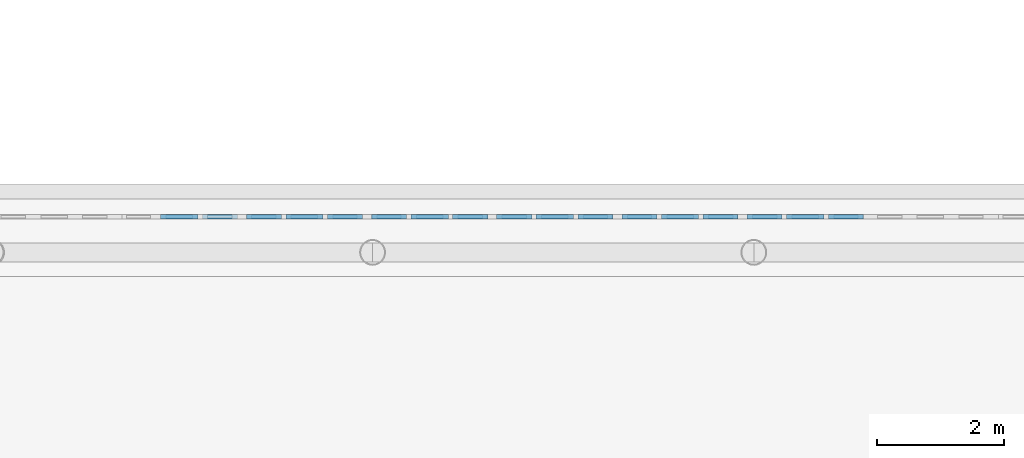
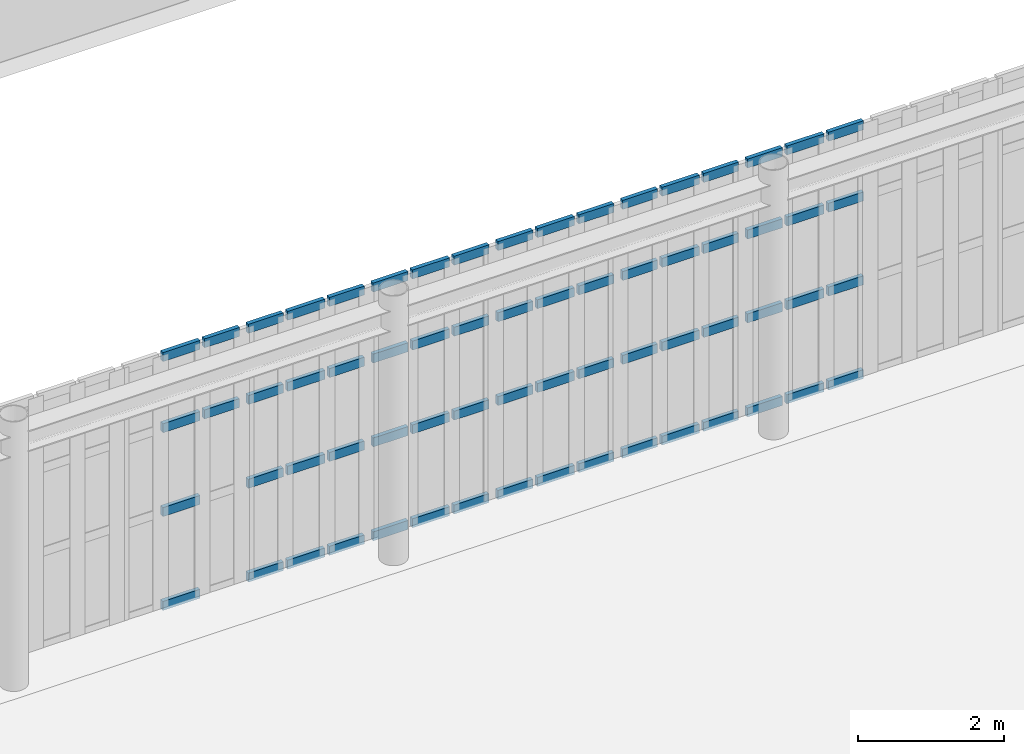
# One storey, part 42 of 91: 66 members, 6 elements without a shape of their own.
"""IFC4 building model written with IfcOpenShell, lengths in metres."""

from ifc_helpers import new_model, si_unit, direction, frame, origin, origin_2d, place, context, subcontext, project, spatial, rectangle, extrude, material, material_profile, profile_set, type_object, element, aggregate, save


model = new_model("IFC4")

# Units and contexts
model_context = context("Model", 3, precision=1e-05, world=origin(), true_north=direction((0.0, 1.0)))
body_context = subcontext(model_context, "Body", "Model", "MODEL_VIEW")
ifc_project = project(units=[si_unit("LENGTHUNIT", "METRE"), si_unit("AREAUNIT", "SQUARE_METRE"), si_unit("VOLUMEUNIT", "CUBIC_METRE"), si_unit("PLANEANGLEUNIT", "RADIAN"), si_unit("MASSUNIT", "GRAM", prefix="KILO")], contexts=[model_context])

# Site, building, storey
site_placement = place(None, origin())
site = spatial("IfcSite", under=ifc_project, at=site_placement, CompositionType="ELEMENT")
building_placement = place(site_placement, origin())
building = spatial("IfcBuilding", under=site, at=building_placement, Name="Kolvaren Corner Interchange", CompositionType="ELEMENT")
storey_placement = place(building_placement, frame((0.0, 0.0, 6.0)))
storey = spatial("IfcBuildingStorey", under=building, at=storey_placement, Name="L02", CompositionType="ELEMENT", Elevation=6.0)

# Curtain wall, members
ifc_material_1 = material(Name="Unitised Aluminium and Solar-Control Glass Curtain Wall", Category="aluminium")
curtain_wall_type = type_object("IfcCurtainWallType", Name="CW-V1-NORTH", PredefinedType="NOTDEFINED", material=ifc_material_1)
curtain_wall_1_placement = place(storey_placement, origin())
curtain_wall_1 = element("IfcCurtainWall", 1, at=curtain_wall_1_placement, inside=storey, type_object=curtain_wall_type, Name="North Concourse Gallery Curtain Wall Bay 06", PredefinedType="NOTDEFINED")
ifc_material_2 = material(Name="Anodised Aluminium Framing", Category="aluminium")
ifc_material_profile = material_profile(ifc_material_2, rectangle(XDim=0.06494140625, YDim=0.14990234375, at=origin_2d()), Name="ALU 65x150")
ifc_profile_set = profile_set([ifc_material_profile], Name="Anodised Aluminium Framing")
member_type = type_object("IfcMemberType", Name="TRN-ALU65x150", PredefinedType="USERDEFINED", material=ifc_profile_set)
member_1_placement = place(storey_placement, frame((109.725830078125, 71.659912109375, 0.032470703125), z_axis=(-1.0, 0.0, 0.0), x_axis=(0.0, -1.0, 0.0)))
member_1 = element("IfcMember", 2, at=member_1_placement, type_object=member_type, Name="CW-063 transom 1.1", ObjectType="TRANSOM", PredefinedType="USERDEFINED", context=body_context, shape_type="SweptSolid", body=[
    extrude(rectangle(XDim=0.06494140625, YDim=0.14990234375, at=origin_2d()), origin(), (0.0, 0.0, 1.0), 0.552001953125),
])
member_2_placement = place(storey_placement, frame((109.725830078125, 71.659912109375, 1.60009765625), z_axis=(-1.0, 0.0, 0.0), x_axis=(0.0, -1.0, 0.0)))
member_2 = element("IfcMember", 3, at=member_2_placement, type_object=member_type, Name="CW-063 transom 1.2", ObjectType="TRANSOM", PredefinedType="USERDEFINED", context=body_context, shape_type="SweptSolid", body=[
    extrude(rectangle(XDim=0.06494140625, YDim=0.14990234375, at=origin_2d()), origin(), (0.0, 0.0, 1.0), 0.552001953125),
])
member_3_placement = place(storey_placement, frame((109.725830078125, 71.659912109375, 3.0), z_axis=(-1.0, 0.0, 0.0), x_axis=(0.0, -1.0, 0.0)))
member_3 = element("IfcMember", 4, at=member_3_placement, type_object=member_type, Name="CW-063 transom 1.3", ObjectType="TRANSOM", PredefinedType="USERDEFINED", context=body_context, shape_type="SweptSolid", body=[
    extrude(rectangle(XDim=0.06494140625, YDim=0.14990234375, at=origin_2d()), origin(), (0.0, 0.0, 1.0), 0.552001953125),
])
member_4_placement = place(storey_placement, frame((109.725830078125, 71.659912109375, 4.1875), z_axis=(-1.0, 0.0, 0.0), x_axis=(0.0, -1.0, 0.0)))
member_4 = element("IfcMember", 5, at=member_4_placement, type_object=member_type, Name="CW-063 transom 1.4", ObjectType="TRANSOM", PredefinedType="USERDEFINED", context=body_context, shape_type="SweptSolid", body=[
    extrude(rectangle(XDim=0.06494140625, YDim=0.14990234375, at=origin_2d()), origin(), (0.0, 0.0, 1.0), 0.552001953125),
])
member_5_placement = place(storey_placement, frame((109.103759765625, 71.659912109375, 0.032470703125), z_axis=(-1.0, 0.0, 0.0), x_axis=(0.0, -1.0, 0.0)))
member_5 = element("IfcMember", 6, at=member_5_placement, type_object=member_type, Name="CW-063 transom 2.1", ObjectType="TRANSOM", PredefinedType="USERDEFINED", context=body_context, shape_type="SweptSolid", body=[
    extrude(rectangle(XDim=0.06494140625, YDim=0.14990234375, at=origin_2d()), origin(), (0.0, 0.0, 1.0), 0.5869140625),
])
member_6_placement = place(storey_placement, frame((109.103759765625, 71.659912109375, 1.60009765625), z_axis=(-1.0, 0.0, 0.0), x_axis=(0.0, -1.0, 0.0)))
member_6 = element("IfcMember", 7, at=member_6_placement, type_object=member_type, Name="CW-063 transom 2.2", ObjectType="TRANSOM", PredefinedType="USERDEFINED", context=body_context, shape_type="SweptSolid", body=[
    extrude(rectangle(XDim=0.06494140625, YDim=0.14990234375, at=origin_2d()), origin(), (0.0, 0.0, 1.0), 0.5869140625),
])
member_7_placement = place(storey_placement, frame((109.103759765625, 71.659912109375, 3.0), z_axis=(-1.0, 0.0, 0.0), x_axis=(0.0, -1.0, 0.0)))
member_7 = element("IfcMember", 8, at=member_7_placement, type_object=member_type, Name="CW-063 transom 2.3", ObjectType="TRANSOM", PredefinedType="USERDEFINED", context=body_context, shape_type="SweptSolid", body=[
    extrude(rectangle(XDim=0.06494140625, YDim=0.14990234375, at=origin_2d()), origin(), (0.0, 0.0, 1.0), 0.5869140625),
])
member_8_placement = place(storey_placement, frame((109.103759765625, 71.659912109375, 4.1875), z_axis=(-1.0, 0.0, 0.0), x_axis=(0.0, -1.0, 0.0)))
member_8 = element("IfcMember", 9, at=member_8_placement, type_object=member_type, Name="CW-063 transom 2.4", ObjectType="TRANSOM", PredefinedType="USERDEFINED", context=body_context, shape_type="SweptSolid", body=[
    extrude(rectangle(XDim=0.06494140625, YDim=0.14990234375, at=origin_2d()), origin(), (0.0, 0.0, 1.0), 0.5869140625),
])
member_9_placement = place(storey_placement, frame((108.447021484375, 71.659912109375, 0.032470703125), z_axis=(-1.0, 0.0, 0.0), x_axis=(0.0, -1.0, 0.0)))
member_9 = element("IfcMember", 10, at=member_9_placement, type_object=member_type, Name="CW-063 transom 3.1", ObjectType="TRANSOM", PredefinedType="USERDEFINED", context=body_context, shape_type="SweptSolid", body=[
    extrude(rectangle(XDim=0.06494140625, YDim=0.14990234375, at=origin_2d()), origin(), (0.0, 0.0, 1.0), 0.552001953125),
])
member_10_placement = place(storey_placement, frame((108.447021484375, 71.659912109375, 1.60009765625), z_axis=(-1.0, 0.0, 0.0), x_axis=(0.0, -1.0, 0.0)))
member_10 = element("IfcMember", 11, at=member_10_placement, type_object=member_type, Name="CW-063 transom 3.2", ObjectType="TRANSOM", PredefinedType="USERDEFINED", context=body_context, shape_type="SweptSolid", body=[
    extrude(rectangle(XDim=0.06494140625, YDim=0.14990234375, at=origin_2d()), origin(), (0.0, 0.0, 1.0), 0.552001953125),
])
member_11_placement = place(storey_placement, frame((108.447021484375, 71.659912109375, 3.0), z_axis=(-1.0, 0.0, 0.0), x_axis=(0.0, -1.0, 0.0)))
member_11 = element("IfcMember", 12, at=member_11_placement, type_object=member_type, Name="CW-063 transom 3.3", ObjectType="TRANSOM", PredefinedType="USERDEFINED", context=body_context, shape_type="SweptSolid", body=[
    extrude(rectangle(XDim=0.06494140625, YDim=0.14990234375, at=origin_2d()), origin(), (0.0, 0.0, 1.0), 0.552001953125),
])
member_12_placement = place(storey_placement, frame((108.447021484375, 71.659912109375, 4.1875), z_axis=(-1.0, 0.0, 0.0), x_axis=(0.0, -1.0, 0.0)))
member_12 = element("IfcMember", 13, at=member_12_placement, type_object=member_type, Name="CW-063 transom 3.4", ObjectType="TRANSOM", PredefinedType="USERDEFINED", context=body_context, shape_type="SweptSolid", body=[
    extrude(rectangle(XDim=0.06494140625, YDim=0.14990234375, at=origin_2d()), origin(), (0.0, 0.0, 1.0), 0.552001953125),
])
aggregate(curtain_wall_1, [member_1, member_2, member_3, member_4, member_5, member_6, member_7, member_8, member_9, member_10, member_11, member_12])

curtain_wall_2_placement = place(storey_placement, origin())
curtain_wall_2 = element("IfcCurtainWall", 14, at=curtain_wall_2_placement, inside=storey, type_object=curtain_wall_type, Name="North Concourse Gallery Curtain Wall Bay 07", PredefinedType="NOTDEFINED")
member_13_placement = place(storey_placement, frame((107.7548828125, 71.659912109375, 0.032470703125), z_axis=(-1.0, 0.0, 0.0), x_axis=(0.0, -1.0, 0.0)))
member_13 = element("IfcMember", 15, at=member_13_placement, type_object=member_type, Name="CW-064 transom 1.1", ObjectType="TRANSOM", PredefinedType="USERDEFINED", context=body_context, shape_type="SweptSolid", body=[
    extrude(rectangle(XDim=0.06494140625, YDim=0.14990234375, at=origin_2d()), origin(), (0.0, 0.0, 1.0), 0.5517578125),
])
member_14_placement = place(storey_placement, frame((107.7548828125, 71.659912109375, 1.60009765625), z_axis=(-1.0, 0.0, 0.0), x_axis=(0.0, -1.0, 0.0)))
member_14 = element("IfcMember", 16, at=member_14_placement, type_object=member_type, Name="CW-064 transom 1.2", ObjectType="TRANSOM", PredefinedType="USERDEFINED", context=body_context, shape_type="SweptSolid", body=[
    extrude(rectangle(XDim=0.06494140625, YDim=0.14990234375, at=origin_2d()), origin(), (0.0, 0.0, 1.0), 0.5517578125),
])
member_15_placement = place(storey_placement, frame((107.7548828125, 71.659912109375, 3.0), z_axis=(-1.0, 0.0, 0.0), x_axis=(0.0, -1.0, 0.0)))
member_15 = element("IfcMember", 17, at=member_15_placement, type_object=member_type, Name="CW-064 transom 1.3", ObjectType="TRANSOM", PredefinedType="USERDEFINED", context=body_context, shape_type="SweptSolid", body=[
    extrude(rectangle(XDim=0.06494140625, YDim=0.14990234375, at=origin_2d()), origin(), (0.0, 0.0, 1.0), 0.5517578125),
])
member_16_placement = place(storey_placement, frame((107.7548828125, 71.659912109375, 4.1875), z_axis=(-1.0, 0.0, 0.0), x_axis=(0.0, -1.0, 0.0)))
member_16 = element("IfcMember", 18, at=member_16_placement, type_object=member_type, Name="CW-064 transom 1.4", ObjectType="TRANSOM", PredefinedType="USERDEFINED", context=body_context, shape_type="SweptSolid", body=[
    extrude(rectangle(XDim=0.06494140625, YDim=0.14990234375, at=origin_2d()), origin(), (0.0, 0.0, 1.0), 0.5517578125),
])
member_17_placement = place(storey_placement, frame((107.133056640625, 71.659912109375, 0.032470703125), z_axis=(-1.0, 0.0, 0.0), x_axis=(0.0, -1.0, 0.0)))
member_17 = element("IfcMember", 19, at=member_17_placement, type_object=member_type, Name="CW-064 transom 2.1", ObjectType="TRANSOM", PredefinedType="USERDEFINED", context=body_context, shape_type="SweptSolid", body=[
    extrude(rectangle(XDim=0.06494140625, YDim=0.14990234375, at=origin_2d()), origin(), (0.0, 0.0, 1.0), 0.5869140625),
])
member_18_placement = place(storey_placement, frame((107.133056640625, 71.659912109375, 1.60009765625), z_axis=(-1.0, 0.0, 0.0), x_axis=(0.0, -1.0, 0.0)))
member_18 = element("IfcMember", 20, at=member_18_placement, type_object=member_type, Name="CW-064 transom 2.2", ObjectType="TRANSOM", PredefinedType="USERDEFINED", context=body_context, shape_type="SweptSolid", body=[
    extrude(rectangle(XDim=0.06494140625, YDim=0.14990234375, at=origin_2d()), origin(), (0.0, 0.0, 1.0), 0.5869140625),
])
member_19_placement = place(storey_placement, frame((107.133056640625, 71.659912109375, 3.0), z_axis=(-1.0, 0.0, 0.0), x_axis=(0.0, -1.0, 0.0)))
member_19 = element("IfcMember", 21, at=member_19_placement, type_object=member_type, Name="CW-064 transom 2.3", ObjectType="TRANSOM", PredefinedType="USERDEFINED", context=body_context, shape_type="SweptSolid", body=[
    extrude(rectangle(XDim=0.06494140625, YDim=0.14990234375, at=origin_2d()), origin(), (0.0, 0.0, 1.0), 0.5869140625),
])
member_20_placement = place(storey_placement, frame((107.133056640625, 71.659912109375, 4.1875), z_axis=(-1.0, 0.0, 0.0), x_axis=(0.0, -1.0, 0.0)))
member_20 = element("IfcMember", 22, at=member_20_placement, type_object=member_type, Name="CW-064 transom 2.4", ObjectType="TRANSOM", PredefinedType="USERDEFINED", context=body_context, shape_type="SweptSolid", body=[
    extrude(rectangle(XDim=0.06494140625, YDim=0.14990234375, at=origin_2d()), origin(), (0.0, 0.0, 1.0), 0.5869140625),
])
member_21_placement = place(storey_placement, frame((106.47607421875, 71.659912109375, 0.032470703125), z_axis=(-1.0, 0.0, 0.0), x_axis=(0.0, -1.0, 0.0)))
member_21 = element("IfcMember", 23, at=member_21_placement, type_object=member_type, Name="CW-064 transom 3.1", ObjectType="TRANSOM", PredefinedType="USERDEFINED", context=body_context, shape_type="SweptSolid", body=[
    extrude(rectangle(XDim=0.06494140625, YDim=0.14990234375, at=origin_2d()), origin(), (0.0, 0.0, 1.0), 0.5517578125),
])
member_22_placement = place(storey_placement, frame((106.47607421875, 71.659912109375, 1.60009765625), z_axis=(-1.0, 0.0, 0.0), x_axis=(0.0, -1.0, 0.0)))
member_22 = element("IfcMember", 24, at=member_22_placement, type_object=member_type, Name="CW-064 transom 3.2", ObjectType="TRANSOM", PredefinedType="USERDEFINED", context=body_context, shape_type="SweptSolid", body=[
    extrude(rectangle(XDim=0.06494140625, YDim=0.14990234375, at=origin_2d()), origin(), (0.0, 0.0, 1.0), 0.5517578125),
])
member_23_placement = place(storey_placement, frame((106.47607421875, 71.659912109375, 3.0), z_axis=(-1.0, 0.0, 0.0), x_axis=(0.0, -1.0, 0.0)))
member_23 = element("IfcMember", 25, at=member_23_placement, type_object=member_type, Name="CW-064 transom 3.3", ObjectType="TRANSOM", PredefinedType="USERDEFINED", context=body_context, shape_type="SweptSolid", body=[
    extrude(rectangle(XDim=0.06494140625, YDim=0.14990234375, at=origin_2d()), origin(), (0.0, 0.0, 1.0), 0.5517578125),
])
member_24_placement = place(storey_placement, frame((106.47607421875, 71.659912109375, 4.1875), z_axis=(-1.0, 0.0, 0.0), x_axis=(0.0, -1.0, 0.0)))
member_24 = element("IfcMember", 26, at=member_24_placement, type_object=member_type, Name="CW-064 transom 3.4", ObjectType="TRANSOM", PredefinedType="USERDEFINED", context=body_context, shape_type="SweptSolid", body=[
    extrude(rectangle(XDim=0.06494140625, YDim=0.14990234375, at=origin_2d()), origin(), (0.0, 0.0, 1.0), 0.5517578125),
])
aggregate(curtain_wall_2, [member_13, member_14, member_15, member_16, member_17, member_18, member_19, member_20, member_21, member_22, member_23, member_24])

curtain_wall_3_placement = place(storey_placement, origin())
curtain_wall_3 = element("IfcCurtainWall", 27, at=curtain_wall_3_placement, inside=storey, type_object=curtain_wall_type, Name="North Concourse Gallery Curtain Wall Bay 08", PredefinedType="NOTDEFINED")
member_25_placement = place(storey_placement, frame((105.7841796875, 71.659912109375, 0.032470703125), z_axis=(-1.0, 0.0, 0.0), x_axis=(0.0, -1.0, 0.0)))
member_25 = element("IfcMember", 28, at=member_25_placement, type_object=member_type, Name="CW-065 transom 1.1", ObjectType="TRANSOM", PredefinedType="USERDEFINED", context=body_context, shape_type="SweptSolid", body=[
    extrude(rectangle(XDim=0.06494140625, YDim=0.14990234375, at=origin_2d()), origin(), (0.0, 0.0, 1.0), 0.552001953125),
])
member_26_placement = place(storey_placement, frame((105.7841796875, 71.659912109375, 1.60009765625), z_axis=(-1.0, 0.0, 0.0), x_axis=(0.0, -1.0, 0.0)))
member_26 = element("IfcMember", 29, at=member_26_placement, type_object=member_type, Name="CW-065 transom 1.2", ObjectType="TRANSOM", PredefinedType="USERDEFINED", context=body_context, shape_type="SweptSolid", body=[
    extrude(rectangle(XDim=0.06494140625, YDim=0.14990234375, at=origin_2d()), origin(), (0.0, 0.0, 1.0), 0.552001953125),
])
member_27_placement = place(storey_placement, frame((105.7841796875, 71.659912109375, 3.0), z_axis=(-1.0, 0.0, 0.0), x_axis=(0.0, -1.0, 0.0)))
member_27 = element("IfcMember", 30, at=member_27_placement, type_object=member_type, Name="CW-065 transom 1.3", ObjectType="TRANSOM", PredefinedType="USERDEFINED", context=body_context, shape_type="SweptSolid", body=[
    extrude(rectangle(XDim=0.06494140625, YDim=0.14990234375, at=origin_2d()), origin(), (0.0, 0.0, 1.0), 0.552001953125),
])
member_28_placement = place(storey_placement, frame((105.7841796875, 71.659912109375, 4.1875), z_axis=(-1.0, 0.0, 0.0), x_axis=(0.0, -1.0, 0.0)))
member_28 = element("IfcMember", 31, at=member_28_placement, type_object=member_type, Name="CW-065 transom 1.4", ObjectType="TRANSOM", PredefinedType="USERDEFINED", context=body_context, shape_type="SweptSolid", body=[
    extrude(rectangle(XDim=0.06494140625, YDim=0.14990234375, at=origin_2d()), origin(), (0.0, 0.0, 1.0), 0.552001953125),
])
member_29_placement = place(storey_placement, frame((105.162353515625, 71.659912109375, 0.032470703125), z_axis=(-1.0, 0.0, 0.0), x_axis=(0.0, -1.0, 0.0)))
member_29 = element("IfcMember", 32, at=member_29_placement, type_object=member_type, Name="CW-065 transom 2.1", ObjectType="TRANSOM", PredefinedType="USERDEFINED", context=body_context, shape_type="SweptSolid", body=[
    extrude(rectangle(XDim=0.06494140625, YDim=0.14990234375, at=origin_2d()), origin(), (0.0, 0.0, 1.0), 0.587158203125),
])
member_30_placement = place(storey_placement, frame((105.162353515625, 71.659912109375, 1.60009765625), z_axis=(-1.0, 0.0, 0.0), x_axis=(0.0, -1.0, 0.0)))
member_30 = element("IfcMember", 33, at=member_30_placement, type_object=member_type, Name="CW-065 transom 2.2", ObjectType="TRANSOM", PredefinedType="USERDEFINED", context=body_context, shape_type="SweptSolid", body=[
    extrude(rectangle(XDim=0.06494140625, YDim=0.14990234375, at=origin_2d()), origin(), (0.0, 0.0, 1.0), 0.587158203125),
])
member_31_placement = place(storey_placement, frame((105.162353515625, 71.659912109375, 3.0), z_axis=(-1.0, 0.0, 0.0), x_axis=(0.0, -1.0, 0.0)))
member_31 = element("IfcMember", 34, at=member_31_placement, type_object=member_type, Name="CW-065 transom 2.3", ObjectType="TRANSOM", PredefinedType="USERDEFINED", context=body_context, shape_type="SweptSolid", body=[
    extrude(rectangle(XDim=0.06494140625, YDim=0.14990234375, at=origin_2d()), origin(), (0.0, 0.0, 1.0), 0.587158203125),
])
member_32_placement = place(storey_placement, frame((105.162353515625, 71.659912109375, 4.1875), z_axis=(-1.0, 0.0, 0.0), x_axis=(0.0, -1.0, 0.0)))
member_32 = element("IfcMember", 35, at=member_32_placement, type_object=member_type, Name="CW-065 transom 2.4", ObjectType="TRANSOM", PredefinedType="USERDEFINED", context=body_context, shape_type="SweptSolid", body=[
    extrude(rectangle(XDim=0.06494140625, YDim=0.14990234375, at=origin_2d()), origin(), (0.0, 0.0, 1.0), 0.587158203125),
])
member_33_placement = place(storey_placement, frame((104.50537109375, 71.659912109375, 0.032470703125), z_axis=(-1.0, 0.0, 0.0), x_axis=(0.0, -1.0, 0.0)))
member_33 = element("IfcMember", 36, at=member_33_placement, type_object=member_type, Name="CW-065 transom 3.1", ObjectType="TRANSOM", PredefinedType="USERDEFINED", context=body_context, shape_type="SweptSolid", body=[
    extrude(rectangle(XDim=0.06494140625, YDim=0.14990234375, at=origin_2d()), origin(), (0.0, 0.0, 1.0), 0.552001953125),
])
member_34_placement = place(storey_placement, frame((104.50537109375, 71.659912109375, 1.60009765625), z_axis=(-1.0, 0.0, 0.0), x_axis=(0.0, -1.0, 0.0)))
member_34 = element("IfcMember", 37, at=member_34_placement, type_object=member_type, Name="CW-065 transom 3.2", ObjectType="TRANSOM", PredefinedType="USERDEFINED", context=body_context, shape_type="SweptSolid", body=[
    extrude(rectangle(XDim=0.06494140625, YDim=0.14990234375, at=origin_2d()), origin(), (0.0, 0.0, 1.0), 0.552001953125),
])
member_35_placement = place(storey_placement, frame((104.50537109375, 71.659912109375, 3.0), z_axis=(-1.0, 0.0, 0.0), x_axis=(0.0, -1.0, 0.0)))
member_35 = element("IfcMember", 38, at=member_35_placement, type_object=member_type, Name="CW-065 transom 3.3", ObjectType="TRANSOM", PredefinedType="USERDEFINED", context=body_context, shape_type="SweptSolid", body=[
    extrude(rectangle(XDim=0.06494140625, YDim=0.14990234375, at=origin_2d()), origin(), (0.0, 0.0, 1.0), 0.552001953125),
])
member_36_placement = place(storey_placement, frame((104.50537109375, 71.659912109375, 4.1875), z_axis=(-1.0, 0.0, 0.0), x_axis=(0.0, -1.0, 0.0)))
member_36 = element("IfcMember", 39, at=member_36_placement, type_object=member_type, Name="CW-065 transom 3.4", ObjectType="TRANSOM", PredefinedType="USERDEFINED", context=body_context, shape_type="SweptSolid", body=[
    extrude(rectangle(XDim=0.06494140625, YDim=0.14990234375, at=origin_2d()), origin(), (0.0, 0.0, 1.0), 0.552001953125),
])
aggregate(curtain_wall_3, [member_25, member_26, member_27, member_28, member_29, member_30, member_31, member_32, member_33, member_34, member_35, member_36])

curtain_wall_4_placement = place(storey_placement, origin())
curtain_wall_4 = element("IfcCurtainWall", 40, at=curtain_wall_4_placement, inside=storey, type_object=curtain_wall_type, Name="North Concourse Gallery Curtain Wall Bay 09", PredefinedType="NOTDEFINED")
member_37_placement = place(storey_placement, frame((103.813232421875, 71.659912109375, 0.032470703125), z_axis=(-1.0, 0.0, 0.0), x_axis=(0.0, -1.0, 0.0)))
member_37 = element("IfcMember", 41, at=member_37_placement, type_object=member_type, Name="CW-066 transom 1.1", ObjectType="TRANSOM", PredefinedType="USERDEFINED", context=body_context, shape_type="SweptSolid", body=[
    extrude(rectangle(XDim=0.06494140625, YDim=0.14990234375, at=origin_2d()), origin(), (0.0, 0.0, 1.0), 0.5517578125),
])
member_38_placement = place(storey_placement, frame((103.813232421875, 71.659912109375, 1.60009765625), z_axis=(-1.0, 0.0, 0.0), x_axis=(0.0, -1.0, 0.0)))
member_38 = element("IfcMember", 42, at=member_38_placement, type_object=member_type, Name="CW-066 transom 1.2", ObjectType="TRANSOM", PredefinedType="USERDEFINED", context=body_context, shape_type="SweptSolid", body=[
    extrude(rectangle(XDim=0.06494140625, YDim=0.14990234375, at=origin_2d()), origin(), (0.0, 0.0, 1.0), 0.5517578125),
])
member_39_placement = place(storey_placement, frame((103.813232421875, 71.659912109375, 3.0), z_axis=(-1.0, 0.0, 0.0), x_axis=(0.0, -1.0, 0.0)))
member_39 = element("IfcMember", 43, at=member_39_placement, type_object=member_type, Name="CW-066 transom 1.3", ObjectType="TRANSOM", PredefinedType="USERDEFINED", context=body_context, shape_type="SweptSolid", body=[
    extrude(rectangle(XDim=0.06494140625, YDim=0.14990234375, at=origin_2d()), origin(), (0.0, 0.0, 1.0), 0.5517578125),
])
member_40_placement = place(storey_placement, frame((103.813232421875, 71.659912109375, 4.1875), z_axis=(-1.0, 0.0, 0.0), x_axis=(0.0, -1.0, 0.0)))
member_40 = element("IfcMember", 44, at=member_40_placement, type_object=member_type, Name="CW-066 transom 1.4", ObjectType="TRANSOM", PredefinedType="USERDEFINED", context=body_context, shape_type="SweptSolid", body=[
    extrude(rectangle(XDim=0.06494140625, YDim=0.14990234375, at=origin_2d()), origin(), (0.0, 0.0, 1.0), 0.5517578125),
])
member_41_placement = place(storey_placement, frame((103.19140625, 71.659912109375, 0.032470703125), z_axis=(-1.0, 0.0, 0.0), x_axis=(0.0, -1.0, 0.0)))
member_41 = element("IfcMember", 45, at=member_41_placement, type_object=member_type, Name="CW-066 transom 2.1", ObjectType="TRANSOM", PredefinedType="USERDEFINED", context=body_context, shape_type="SweptSolid", body=[
    extrude(rectangle(XDim=0.06494140625, YDim=0.14990234375, at=origin_2d()), origin(), (0.0, 0.0, 1.0), 0.5869140625),
])
member_42_placement = place(storey_placement, frame((103.19140625, 71.659912109375, 1.60009765625), z_axis=(-1.0, 0.0, 0.0), x_axis=(0.0, -1.0, 0.0)))
member_42 = element("IfcMember", 46, at=member_42_placement, type_object=member_type, Name="CW-066 transom 2.2", ObjectType="TRANSOM", PredefinedType="USERDEFINED", context=body_context, shape_type="SweptSolid", body=[
    extrude(rectangle(XDim=0.06494140625, YDim=0.14990234375, at=origin_2d()), origin(), (0.0, 0.0, 1.0), 0.5869140625),
])
member_43_placement = place(storey_placement, frame((103.19140625, 71.659912109375, 3.0), z_axis=(-1.0, 0.0, 0.0), x_axis=(0.0, -1.0, 0.0)))
member_43 = element("IfcMember", 47, at=member_43_placement, type_object=member_type, Name="CW-066 transom 2.3", ObjectType="TRANSOM", PredefinedType="USERDEFINED", context=body_context, shape_type="SweptSolid", body=[
    extrude(rectangle(XDim=0.06494140625, YDim=0.14990234375, at=origin_2d()), origin(), (0.0, 0.0, 1.0), 0.5869140625),
])
member_44_placement = place(storey_placement, frame((103.19140625, 71.659912109375, 4.1875), z_axis=(-1.0, 0.0, 0.0), x_axis=(0.0, -1.0, 0.0)))
member_44 = element("IfcMember", 48, at=member_44_placement, type_object=member_type, Name="CW-066 transom 2.4", ObjectType="TRANSOM", PredefinedType="USERDEFINED", context=body_context, shape_type="SweptSolid", body=[
    extrude(rectangle(XDim=0.06494140625, YDim=0.14990234375, at=origin_2d()), origin(), (0.0, 0.0, 1.0), 0.5869140625),
])
member_45_placement = place(storey_placement, frame((102.534423828125, 71.659912109375, 0.032470703125), z_axis=(-1.0, 0.0, 0.0), x_axis=(0.0, -1.0, 0.0)))
member_45 = element("IfcMember", 49, at=member_45_placement, type_object=member_type, Name="CW-066 transom 3.1", ObjectType="TRANSOM", PredefinedType="USERDEFINED", context=body_context, shape_type="SweptSolid", body=[
    extrude(rectangle(XDim=0.06494140625, YDim=0.14990234375, at=origin_2d()), origin(), (0.0, 0.0, 1.0), 0.552001953125),
])
member_46_placement = place(storey_placement, frame((102.534423828125, 71.659912109375, 1.60009765625), z_axis=(-1.0, 0.0, 0.0), x_axis=(0.0, -1.0, 0.0)))
member_46 = element("IfcMember", 50, at=member_46_placement, type_object=member_type, Name="CW-066 transom 3.2", ObjectType="TRANSOM", PredefinedType="USERDEFINED", context=body_context, shape_type="SweptSolid", body=[
    extrude(rectangle(XDim=0.06494140625, YDim=0.14990234375, at=origin_2d()), origin(), (0.0, 0.0, 1.0), 0.552001953125),
])
member_47_placement = place(storey_placement, frame((102.534423828125, 71.659912109375, 3.0), z_axis=(-1.0, 0.0, 0.0), x_axis=(0.0, -1.0, 0.0)))
member_47 = element("IfcMember", 51, at=member_47_placement, type_object=member_type, Name="CW-066 transom 3.3", ObjectType="TRANSOM", PredefinedType="USERDEFINED", context=body_context, shape_type="SweptSolid", body=[
    extrude(rectangle(XDim=0.06494140625, YDim=0.14990234375, at=origin_2d()), origin(), (0.0, 0.0, 1.0), 0.552001953125),
])
member_48_placement = place(storey_placement, frame((102.534423828125, 71.659912109375, 4.1875), z_axis=(-1.0, 0.0, 0.0), x_axis=(0.0, -1.0, 0.0)))
member_48 = element("IfcMember", 52, at=member_48_placement, type_object=member_type, Name="CW-066 transom 3.4", ObjectType="TRANSOM", PredefinedType="USERDEFINED", context=body_context, shape_type="SweptSolid", body=[
    extrude(rectangle(XDim=0.06494140625, YDim=0.14990234375, at=origin_2d()), origin(), (0.0, 0.0, 1.0), 0.552001953125),
])
aggregate(curtain_wall_4, [member_37, member_38, member_39, member_40, member_41, member_42, member_43, member_44, member_45, member_46, member_47, member_48])

curtain_wall_5_placement = place(storey_placement, origin())
curtain_wall_5 = element("IfcCurtainWall", 53, at=curtain_wall_5_placement, inside=storey, type_object=curtain_wall_type, Name="North Concourse Gallery Curtain Wall Bay 10", PredefinedType="NOTDEFINED")
member_49_placement = place(storey_placement, frame((101.842529296875, 71.659912109375, 0.032470703125), z_axis=(-1.0, 0.0, 0.0), x_axis=(0.0, -1.0, 0.0)))
member_49 = element("IfcMember", 54, at=member_49_placement, type_object=member_type, Name="CW-067 transom 1.1", ObjectType="TRANSOM", PredefinedType="USERDEFINED", context=body_context, shape_type="SweptSolid", body=[
    extrude(rectangle(XDim=0.06494140625, YDim=0.14990234375, at=origin_2d()), origin(), (0.0, 0.0, 1.0), 0.552001953125),
])
member_50_placement = place(storey_placement, frame((101.842529296875, 71.659912109375, 1.60009765625), z_axis=(-1.0, 0.0, 0.0), x_axis=(0.0, -1.0, 0.0)))
member_50 = element("IfcMember", 55, at=member_50_placement, type_object=member_type, Name="CW-067 transom 1.2", ObjectType="TRANSOM", PredefinedType="USERDEFINED", context=body_context, shape_type="SweptSolid", body=[
    extrude(rectangle(XDim=0.06494140625, YDim=0.14990234375, at=origin_2d()), origin(), (0.0, 0.0, 1.0), 0.552001953125),
])
member_51_placement = place(storey_placement, frame((101.842529296875, 71.659912109375, 3.0), z_axis=(-1.0, 0.0, 0.0), x_axis=(0.0, -1.0, 0.0)))
member_51 = element("IfcMember", 56, at=member_51_placement, type_object=member_type, Name="CW-067 transom 1.3", ObjectType="TRANSOM", PredefinedType="USERDEFINED", context=body_context, shape_type="SweptSolid", body=[
    extrude(rectangle(XDim=0.06494140625, YDim=0.14990234375, at=origin_2d()), origin(), (0.0, 0.0, 1.0), 0.552001953125),
])
member_52_placement = place(storey_placement, frame((101.842529296875, 71.659912109375, 4.1875), z_axis=(-1.0, 0.0, 0.0), x_axis=(0.0, -1.0, 0.0)))
member_52 = element("IfcMember", 57, at=member_52_placement, type_object=member_type, Name="CW-067 transom 1.4", ObjectType="TRANSOM", PredefinedType="USERDEFINED", context=body_context, shape_type="SweptSolid", body=[
    extrude(rectangle(XDim=0.06494140625, YDim=0.14990234375, at=origin_2d()), origin(), (0.0, 0.0, 1.0), 0.552001953125),
])
member_53_placement = place(storey_placement, frame((101.220458984375, 71.659912109375, 0.032470703125), z_axis=(-1.0, 0.0, 0.0), x_axis=(0.0, -1.0, 0.0)))
member_53 = element("IfcMember", 58, at=member_53_placement, type_object=member_type, Name="CW-067 transom 2.1", ObjectType="TRANSOM", PredefinedType="USERDEFINED", context=body_context, shape_type="SweptSolid", body=[
    extrude(rectangle(XDim=0.06494140625, YDim=0.14990234375, at=origin_2d()), origin(), (0.0, 0.0, 1.0), 0.5869140625),
])
member_54_placement = place(storey_placement, frame((101.220458984375, 71.659912109375, 1.60009765625), z_axis=(-1.0, 0.0, 0.0), x_axis=(0.0, -1.0, 0.0)))
member_54 = element("IfcMember", 59, at=member_54_placement, type_object=member_type, Name="CW-067 transom 2.2", ObjectType="TRANSOM", PredefinedType="USERDEFINED", context=body_context, shape_type="SweptSolid", body=[
    extrude(rectangle(XDim=0.06494140625, YDim=0.14990234375, at=origin_2d()), origin(), (0.0, 0.0, 1.0), 0.5869140625),
])
member_55_placement = place(storey_placement, frame((101.220458984375, 71.659912109375, 3.0), z_axis=(-1.0, 0.0, 0.0), x_axis=(0.0, -1.0, 0.0)))
member_55 = element("IfcMember", 60, at=member_55_placement, type_object=member_type, Name="CW-067 transom 2.3", ObjectType="TRANSOM", PredefinedType="USERDEFINED", context=body_context, shape_type="SweptSolid", body=[
    extrude(rectangle(XDim=0.06494140625, YDim=0.14990234375, at=origin_2d()), origin(), (0.0, 0.0, 1.0), 0.5869140625),
])
member_56_placement = place(storey_placement, frame((101.220458984375, 71.659912109375, 4.1875), z_axis=(-1.0, 0.0, 0.0), x_axis=(0.0, -1.0, 0.0)))
member_56 = element("IfcMember", 61, at=member_56_placement, type_object=member_type, Name="CW-067 transom 2.4", ObjectType="TRANSOM", PredefinedType="USERDEFINED", context=body_context, shape_type="SweptSolid", body=[
    extrude(rectangle(XDim=0.06494140625, YDim=0.14990234375, at=origin_2d()), origin(), (0.0, 0.0, 1.0), 0.5869140625),
])
member_57_placement = place(storey_placement, frame((100.563720703125, 71.659912109375, 0.032470703125), z_axis=(-1.0, 0.0, 0.0), x_axis=(0.0, -1.0, 0.0)))
member_57 = element("IfcMember", 62, at=member_57_placement, type_object=member_type, Name="CW-067 transom 3.1", ObjectType="TRANSOM", PredefinedType="USERDEFINED", context=body_context, shape_type="SweptSolid", body=[
    extrude(rectangle(XDim=0.06494140625, YDim=0.14990234375, at=origin_2d()), origin(), (0.0, 0.0, 1.0), 0.552001953125),
])
member_58_placement = place(storey_placement, frame((100.563720703125, 71.659912109375, 1.60009765625), z_axis=(-1.0, 0.0, 0.0), x_axis=(0.0, -1.0, 0.0)))
member_58 = element("IfcMember", 63, at=member_58_placement, type_object=member_type, Name="CW-067 transom 3.2", ObjectType="TRANSOM", PredefinedType="USERDEFINED", context=body_context, shape_type="SweptSolid", body=[
    extrude(rectangle(XDim=0.06494140625, YDim=0.14990234375, at=origin_2d()), origin(), (0.0, 0.0, 1.0), 0.552001953125),
])
member_59_placement = place(storey_placement, frame((100.563720703125, 71.659912109375, 3.0), z_axis=(-1.0, 0.0, 0.0), x_axis=(0.0, -1.0, 0.0)))
member_59 = element("IfcMember", 64, at=member_59_placement, type_object=member_type, Name="CW-067 transom 3.3", ObjectType="TRANSOM", PredefinedType="USERDEFINED", context=body_context, shape_type="SweptSolid", body=[
    extrude(rectangle(XDim=0.06494140625, YDim=0.14990234375, at=origin_2d()), origin(), (0.0, 0.0, 1.0), 0.552001953125),
])
member_60_placement = place(storey_placement, frame((100.563720703125, 71.659912109375, 4.1875), z_axis=(-1.0, 0.0, 0.0), x_axis=(0.0, -1.0, 0.0)))
member_60 = element("IfcMember", 65, at=member_60_placement, type_object=member_type, Name="CW-067 transom 3.4", ObjectType="TRANSOM", PredefinedType="USERDEFINED", context=body_context, shape_type="SweptSolid", body=[
    extrude(rectangle(XDim=0.06494140625, YDim=0.14990234375, at=origin_2d()), origin(), (0.0, 0.0, 1.0), 0.552001953125),
])
aggregate(curtain_wall_5, [member_49, member_50, member_51, member_52, member_53, member_54, member_55, member_56, member_57, member_58, member_59, member_60])

curtain_wall_6_placement = place(storey_placement, origin())
curtain_wall_6 = element("IfcCurtainWall", 66, at=curtain_wall_6_placement, inside=storey, type_object=curtain_wall_type, Name="North Concourse Gallery Curtain Wall Bay 11", PredefinedType="NOTDEFINED")
member_61_placement = place(storey_placement, frame((99.87158203125, 71.659912109375, 3.0), z_axis=(-1.0, 0.0, 0.0), x_axis=(0.0, -1.0, 0.0)))
member_61 = element("IfcMember", 67, at=member_61_placement, type_object=member_type, Name="CW-068 transom 1.3", ObjectType="TRANSOM", PredefinedType="USERDEFINED", context=body_context, shape_type="SweptSolid", body=[
    extrude(rectangle(XDim=0.06494140625, YDim=0.14990234375, at=origin_2d()), origin(), (0.0, 0.0, 1.0), 0.5517578125),
])
member_62_placement = place(storey_placement, frame((99.87158203125, 71.659912109375, 4.1875), z_axis=(-1.0, 0.0, 0.0), x_axis=(0.0, -1.0, 0.0)))
member_62 = element("IfcMember", 68, at=member_62_placement, type_object=member_type, Name="CW-068 transom 1.4", ObjectType="TRANSOM", PredefinedType="USERDEFINED", context=body_context, shape_type="SweptSolid", body=[
    extrude(rectangle(XDim=0.06494140625, YDim=0.14990234375, at=origin_2d()), origin(), (0.0, 0.0, 1.0), 0.5517578125),
])
member_63_placement = place(storey_placement, frame((99.249755859375, 71.659912109375, 0.032470703125), z_axis=(-1.0, 0.0, 0.0), x_axis=(0.0, -1.0, 0.0)))
member_63 = element("IfcMember", 69, at=member_63_placement, type_object=member_type, Name="CW-068 transom 2.1", ObjectType="TRANSOM", PredefinedType="USERDEFINED", context=body_context, shape_type="SweptSolid", body=[
    extrude(rectangle(XDim=0.06494140625, YDim=0.14990234375, at=origin_2d()), origin(), (0.0, 0.0, 1.0), 0.5869140625),
])
member_64_placement = place(storey_placement, frame((99.249755859375, 71.659912109375, 1.60009765625), z_axis=(-1.0, 0.0, 0.0), x_axis=(0.0, -1.0, 0.0)))
member_64 = element("IfcMember", 70, at=member_64_placement, type_object=member_type, Name="CW-068 transom 2.2", ObjectType="TRANSOM", PredefinedType="USERDEFINED", context=body_context, shape_type="SweptSolid", body=[
    extrude(rectangle(XDim=0.06494140625, YDim=0.14990234375, at=origin_2d()), origin(), (0.0, 0.0, 1.0), 0.5869140625),
])
member_65_placement = place(storey_placement, frame((99.249755859375, 71.659912109375, 3.0), z_axis=(-1.0, 0.0, 0.0), x_axis=(0.0, -1.0, 0.0)))
member_65 = element("IfcMember", 71, at=member_65_placement, type_object=member_type, Name="CW-068 transom 2.3", ObjectType="TRANSOM", PredefinedType="USERDEFINED", context=body_context, shape_type="SweptSolid", body=[
    extrude(rectangle(XDim=0.06494140625, YDim=0.14990234375, at=origin_2d()), origin(), (0.0, 0.0, 1.0), 0.5869140625),
])
member_66_placement = place(storey_placement, frame((99.249755859375, 71.659912109375, 4.1875), z_axis=(-1.0, 0.0, 0.0), x_axis=(0.0, -1.0, 0.0)))
member_66 = element("IfcMember", 72, at=member_66_placement, type_object=member_type, Name="CW-068 transom 2.4", ObjectType="TRANSOM", PredefinedType="USERDEFINED", context=body_context, shape_type="SweptSolid", body=[
    extrude(rectangle(XDim=0.06494140625, YDim=0.14990234375, at=origin_2d()), origin(), (0.0, 0.0, 1.0), 0.5869140625),
])
aggregate(curtain_wall_6, [member_61, member_62, member_63, member_64, member_65, member_66])

save(model, "model.ifc")
